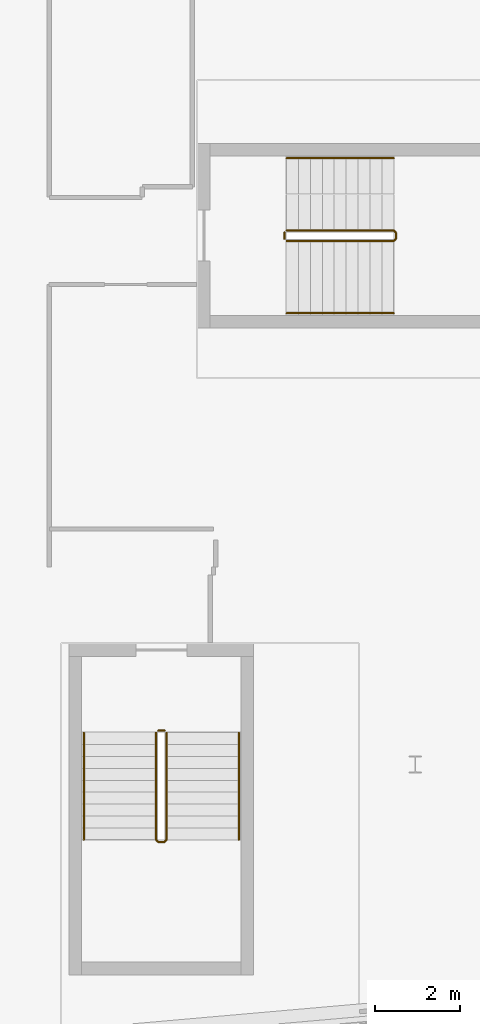
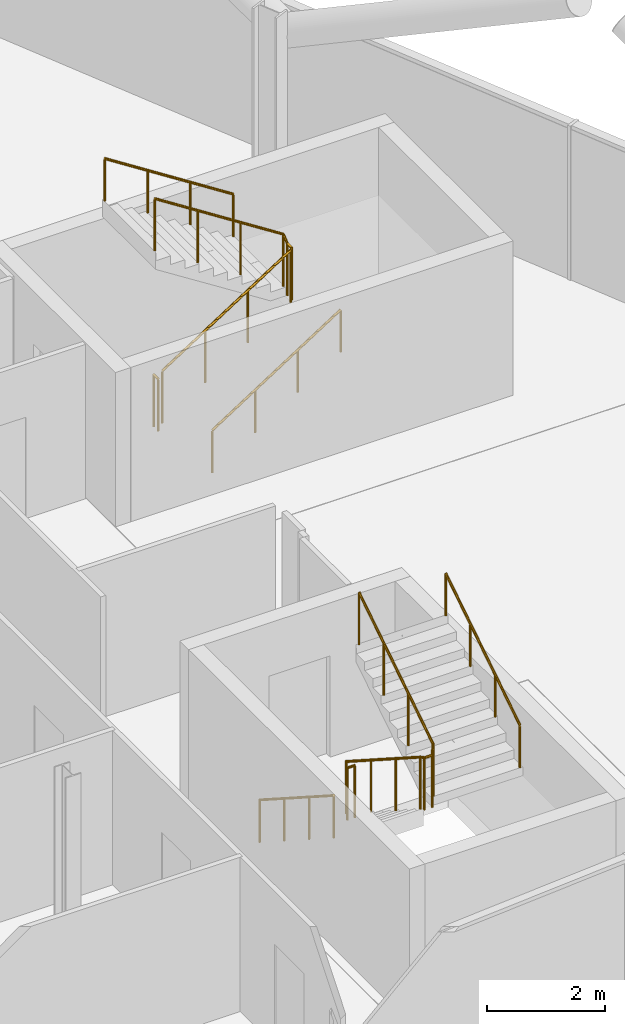
# One storey, part 24 of 25: 8 railings.
"""IFC4 building model written with IfcOpenShell, lengths in metres."""

from ifc_helpers import new_model, si_unit, direction, frame, origin, origin_2d, place, context, subcontext, project, spatial, circle, extrude, material, type_object, element, save


model = new_model("IFC4")

# Units and contexts
model_context = context("Model", 3, precision=1e-05, world=origin(), true_north=direction((0.0, 1.0)))
body_context = subcontext(model_context, "Body", "Model", "MODEL_VIEW")
ifc_project = project(units=[si_unit("LENGTHUNIT", "METRE"), si_unit("AREAUNIT", "SQUARE_METRE"), si_unit("VOLUMEUNIT", "CUBIC_METRE"), si_unit("PLANEANGLEUNIT", "RADIAN"), si_unit("MASSUNIT", "GRAM", prefix="KILO")], contexts=[model_context])

# Site, building, storey
site_placement = place(None, origin())
site = spatial("IfcSite", under=ifc_project, at=site_placement, CompositionType="ELEMENT")
building_placement = place(site_placement, origin())
building = spatial("IfcBuilding", under=site, at=building_placement, Name="Wharfspan Tower", CompositionType="ELEMENT")
storey_placement = place(building_placement, frame((0.0, 0.0, 225.100098)))
storey = spatial("IfcBuildingStorey", under=building, at=storey_placement, Name="L56", CompositionType="ELEMENT", Elevation=225.100098)

# Railings
ifc_material = material(Name="Steel S355J2", Category="steel")
railing_type_1 = type_object("IfcRailingType", Name="Stair guard 1100", PredefinedType="GUARDRAIL", material=ifc_material)
railing_1_placement = place(storey_placement, frame((65.893799, 12.246094, 0.179932)))
element("IfcRailing", 1, at=railing_1_placement, inside=storey, type_object=railing_type_1, Name="L56 ST5 stair guard 1", PredefinedType="GUARDRAIL", context=body_context, shape_type="SweptSolid", body=[
    extrude(circle(Radius=0.023926, at=origin_2d()), frame((0.0, 0.0, 1.076172), z_axis=(0.0, -0.8412, 0.540725), x_axis=(1.0, 0.0, 0.0)), (0.0, 0.0, 1.0), 2.99585),
    extrude(circle(Radius=0.023926, at=origin_2d()), frame((0.0, -2.52002, 2.695801), z_axis=(0.708834, -0.705376, 0.0), x_axis=(0.705376, 0.708834, 0.0)), (0.0, 0.0, 1.0), 0.070557),
    extrude(circle(Radius=0.023926, at=origin_2d()), frame((0.050049, -2.569824, 2.695801), z_axis=(1.0, 0.0, 0.0), x_axis=(0.0, 1.0, 0.0)), (0.0, 0.0, 1.0), 0.149902),
    extrude(circle(Radius=0.023926, at=origin_2d()), frame((0.199951, -2.569824, 2.695801), z_axis=(0.258628, 0.257366, 0.931061), x_axis=(-0.705372, 0.708838, -2e-06)), (0.0, 0.0, 1.0), 0.193604),
    extrude(circle(Radius=0.023926, at=origin_2d()), frame((0.25, -2.52002, 2.875977), z_axis=(0.0, 0.8412, 0.540725), x_axis=(-1.0, 0.0, 0.0)), (0.0, 0.0, 1.0), 2.99585),
    extrude(circle(Radius=0.020996, at=origin_2d()), origin(), (0.0, 0.0, 1.0), 1.052002),
    extrude(circle(Radius=0.020996, at=origin_2d()), frame((0.0, -0.840088, 0.540039)), (0.0, 0.0, 1.0), 1.052002),
    extrude(circle(Radius=0.020996, at=origin_2d()), frame((0.0, -1.679932, 1.079834)), (0.0, 0.0, 1.0), 1.052002),
    extrude(circle(Radius=0.020996, at=origin_2d()), frame((0.0, -2.52002, 1.619873)), (0.0, 0.0, 1.0), 1.052002),
    extrude(circle(Radius=0.020996, at=origin_2d()), frame((0.050049, -2.569824, 1.619873)), (0.0, 0.0, 1.0), 1.052002),
    extrude(circle(Radius=0.020996, at=origin_2d()), frame((0.199951, -2.569824, 1.619873)), (0.0, 0.0, 1.0), 1.052002),
    extrude(circle(Radius=0.020996, at=origin_2d()), frame((0.25, -2.52002, 1.800049)), (0.0, 0.0, 1.0), 1.052002),
    extrude(circle(Radius=0.020996, at=origin_2d()), frame((0.25, -1.679932, 2.340088)), (0.0, 0.0, 1.0), 1.052002),
    extrude(circle(Radius=0.020996, at=origin_2d()), frame((0.25, -0.840088, 2.879883)), (0.0, 0.0, 1.0), 1.052002),
    extrude(circle(Radius=0.020996, at=origin_2d()), frame((0.25, 0.0, 3.419922)), (0.0, 0.0, 1.0), 1.052002),
])
railing_2_placement = place(storey_placement, frame((65.943848, 12.296143, 0.0)))
element("IfcRailing", 2, at=railing_2_placement, inside=storey, type_object=railing_type_1, Name="L56 ST5 stair guard 2", PredefinedType="GUARDRAIL", context=body_context, shape_type="SweptSolid", body=[
    extrude(circle(Radius=0.023926, at=origin_2d()), frame((0.0, 0.0, 1.076172), z_axis=(1.0, 0.0, 0.0), x_axis=(0.0, 1.0, 0.0)), (0.0, 0.0, 1.0), 0.149902),
    extrude(circle(Radius=0.020996, at=origin_2d()), origin(), (0.0, 0.0, 1.0), 1.052002),
    extrude(circle(Radius=0.020996, at=origin_2d()), frame((0.149902, 0.0, 0.0)), (0.0, 0.0, 1.0), 1.052002),
])
railing_3_placement = place(storey_placement, frame((68.969482, 23.824951, 0.179932)))
element("IfcRailing", 3, at=railing_3_placement, inside=storey, type_object=railing_type_1, Name="L56 ST6 stair guard 1", PredefinedType="GUARDRAIL", context=body_context, shape_type="SweptSolid", body=[
    extrude(circle(Radius=0.023926, at=origin_2d()), frame((0.0, 0.0, 1.076172), z_axis=(0.8412, 0.0, 0.540725), x_axis=(0.0, 1.0, 0.0)), (0.0, 0.0, 1.0), 2.99585),
    extrude(circle(Radius=0.023926, at=origin_2d()), frame((2.52002, 0.0, 2.695801), z_axis=(0.707107, 0.707107, 0.0), x_axis=(-0.707107, 0.707107, 0.0)), (0.0, 0.0, 1.0), 0.070801),
    extrude(circle(Radius=0.023926, at=origin_2d()), frame((2.570068, 0.050049, 2.695801), z_axis=(0.0, 1.0, 0.0), x_axis=(-1.0, 0.0, 0.0)), (0.0, 0.0, 1.0), 0.149902),
    extrude(circle(Radius=0.023926, at=origin_2d()), frame((2.570068, 0.199951, 2.695801), z_axis=(-0.258544, 0.258544, 0.930758), x_axis=(-0.707107, -0.707107, 0.0)), (0.0, 0.0, 1.0), 0.193604),
    extrude(circle(Radius=0.023926, at=origin_2d()), frame((2.52002, 0.25, 2.875977), z_axis=(-0.8412, 0.0, 0.540725), x_axis=(0.0, -1.0, 0.0)), (0.0, 0.0, 1.0), 2.99585),
    extrude(circle(Radius=0.020996, at=origin_2d()), origin(), (0.0, 0.0, 1.0), 1.052002),
    extrude(circle(Radius=0.020996, at=origin_2d()), frame((0.840088, 0.0, 0.540039)), (0.0, 0.0, 1.0), 1.052002),
    extrude(circle(Radius=0.020996, at=origin_2d()), frame((1.679932, 0.0, 1.079834)), (0.0, 0.0, 1.0), 1.052002),
    extrude(circle(Radius=0.020996, at=origin_2d()), frame((2.52002, 0.0, 1.619873)), (0.0, 0.0, 1.0), 1.052002),
    extrude(circle(Radius=0.020996, at=origin_2d()), frame((2.570068, 0.050049, 1.619873)), (0.0, 0.0, 1.0), 1.052002),
    extrude(circle(Radius=0.020996, at=origin_2d()), frame((2.570068, 0.199951, 1.619873)), (0.0, 0.0, 1.0), 1.052002),
    extrude(circle(Radius=0.020996, at=origin_2d()), frame((2.52002, 0.25, 1.800049)), (0.0, 0.0, 1.0), 1.052002),
    extrude(circle(Radius=0.020996, at=origin_2d()), frame((1.679932, 0.25, 2.340088)), (0.0, 0.0, 1.0), 1.052002),
    extrude(circle(Radius=0.020996, at=origin_2d()), frame((0.840088, 0.25, 2.879883)), (0.0, 0.0, 1.0), 1.052002),
    extrude(circle(Radius=0.020996, at=origin_2d()), frame((0.0, 0.25, 3.419922)), (0.0, 0.0, 1.0), 1.052002),
])
railing_4_placement = place(storey_placement, frame((68.919678, 23.875, 0.0)))
element("IfcRailing", 4, at=railing_4_placement, inside=storey, type_object=railing_type_1, Name="L56 ST6 stair guard 2", PredefinedType="GUARDRAIL", context=body_context, shape_type="SweptSolid", body=[
    extrude(circle(Radius=0.023926, at=origin_2d()), frame((0.0, 0.0, 1.076172), z_axis=(0.0, 1.0, 0.0), x_axis=(-1.0, 0.0, 0.0)), (0.0, 0.0, 1.0), 0.149902),
    extrude(circle(Radius=0.020996, at=origin_2d()), origin(), (0.0, 0.0, 1.0), 1.052002),
    extrude(circle(Radius=0.020996, at=origin_2d()), frame((0.0, 0.149902, 0.0)), (0.0, 0.0, 1.0), 1.052002),
])
railing_type_2 = type_object("IfcRailingType", Name="Stair handrail 900", PredefinedType="HANDRAIL", material=ifc_material)
railing_5_placement = place(storey_placement, frame((64.193848, 12.246094, 0.179932)))
element("IfcRailing", 5, at=railing_5_placement, inside=storey, type_object=railing_type_2, Name="L56 ST5 stair handrail 1", PredefinedType="HANDRAIL", context=body_context, shape_type="SweptSolid", body=[
    extrude(circle(Radius=0.023926, at=origin_2d()), frame((0.0, 0.0, 0.875977), z_axis=(0.0, -0.8412, 0.540725), x_axis=(1.0, 0.0, 0.0)), (0.0, 0.0, 1.0), 2.99585),
    extrude(circle(Radius=0.020996, at=origin_2d()), origin(), (0.0, 0.0, 1.0), 0.851807),
    extrude(circle(Radius=0.020996, at=origin_2d()), frame((0.0, -0.840088, 0.540039)), (0.0, 0.0, 1.0), 0.851807),
    extrude(circle(Radius=0.020996, at=origin_2d()), frame((0.0, -1.679932, 1.079834)), (0.0, 0.0, 1.0), 0.851807),
    extrude(circle(Radius=0.020996, at=origin_2d()), frame((0.0, -2.52002, 1.619873)), (0.0, 0.0, 1.0), 0.851807),
])
railing_6_placement = place(storey_placement, frame((67.84375, 9.726074, 1.97998)))
element("IfcRailing", 6, at=railing_6_placement, inside=storey, type_object=railing_type_2, Name="L56 ST5 stair handrail 2", PredefinedType="HANDRAIL", context=body_context, shape_type="SweptSolid", body=[
    extrude(circle(Radius=0.023926, at=origin_2d()), frame((0.0, 0.0, 0.875977), z_axis=(0.0, 0.8412, 0.540725), x_axis=(-1.0, 0.0, 0.0)), (0.0, 0.0, 1.0), 2.99585),
    extrude(circle(Radius=0.020996, at=origin_2d()), origin(), (0.0, 0.0, 1.0), 0.851807),
    extrude(circle(Radius=0.020996, at=origin_2d()), frame((0.0, 0.840088, 0.540039)), (0.0, 0.0, 1.0), 0.851807),
    extrude(circle(Radius=0.020996, at=origin_2d()), frame((0.0, 1.679932, 1.079834)), (0.0, 0.0, 1.0), 0.851807),
    extrude(circle(Radius=0.020996, at=origin_2d()), frame((0.0, 2.52002, 1.619873)), (0.0, 0.0, 1.0), 0.851807),
])
railing_7_placement = place(storey_placement, frame((68.969482, 22.125, 0.179932)))
element("IfcRailing", 7, at=railing_7_placement, inside=storey, type_object=railing_type_2, Name="L56 ST6 stair handrail 1", PredefinedType="HANDRAIL", context=body_context, shape_type="SweptSolid", body=[
    extrude(circle(Radius=0.023926, at=origin_2d()), frame((0.0, 0.0, 0.875977), z_axis=(0.8412, 0.0, 0.540725), x_axis=(0.0, 1.0, 0.0)), (0.0, 0.0, 1.0), 2.99585),
    extrude(circle(Radius=0.020996, at=origin_2d()), origin(), (0.0, 0.0, 1.0), 0.851807),
    extrude(circle(Radius=0.020996, at=origin_2d()), frame((0.840088, 0.0, 0.540039)), (0.0, 0.0, 1.0), 0.851807),
    extrude(circle(Radius=0.020996, at=origin_2d()), frame((1.679932, 0.0, 1.079834)), (0.0, 0.0, 1.0), 0.851807),
    extrude(circle(Radius=0.020996, at=origin_2d()), frame((2.52002, 0.0, 1.619873)), (0.0, 0.0, 1.0), 0.851807),
])
railing_8_placement = place(storey_placement, frame((71.489502, 25.774902, 1.97998)))
element("IfcRailing", 8, at=railing_8_placement, inside=storey, type_object=railing_type_2, Name="L56 ST6 stair handrail 2", PredefinedType="HANDRAIL", context=body_context, shape_type="SweptSolid", body=[
    extrude(circle(Radius=0.023926, at=origin_2d()), frame((0.0, 0.0, 0.875977), z_axis=(-0.8412, 0.0, 0.540725), x_axis=(0.0, -1.0, 0.0)), (0.0, 0.0, 1.0), 2.99585),
    extrude(circle(Radius=0.020996, at=origin_2d()), origin(), (0.0, 0.0, 1.0), 0.851807),
    extrude(circle(Radius=0.020996, at=origin_2d()), frame((-0.840088, 0.0, 0.540039)), (0.0, 0.0, 1.0), 0.851807),
    extrude(circle(Radius=0.020996, at=origin_2d()), frame((-1.679932, 0.0, 1.079834)), (0.0, 0.0, 1.0), 0.851807),
    extrude(circle(Radius=0.020996, at=origin_2d()), frame((-2.52002, 0.0, 1.619873)), (0.0, 0.0, 1.0), 0.851807),
])

save(model, "model.ifc")
